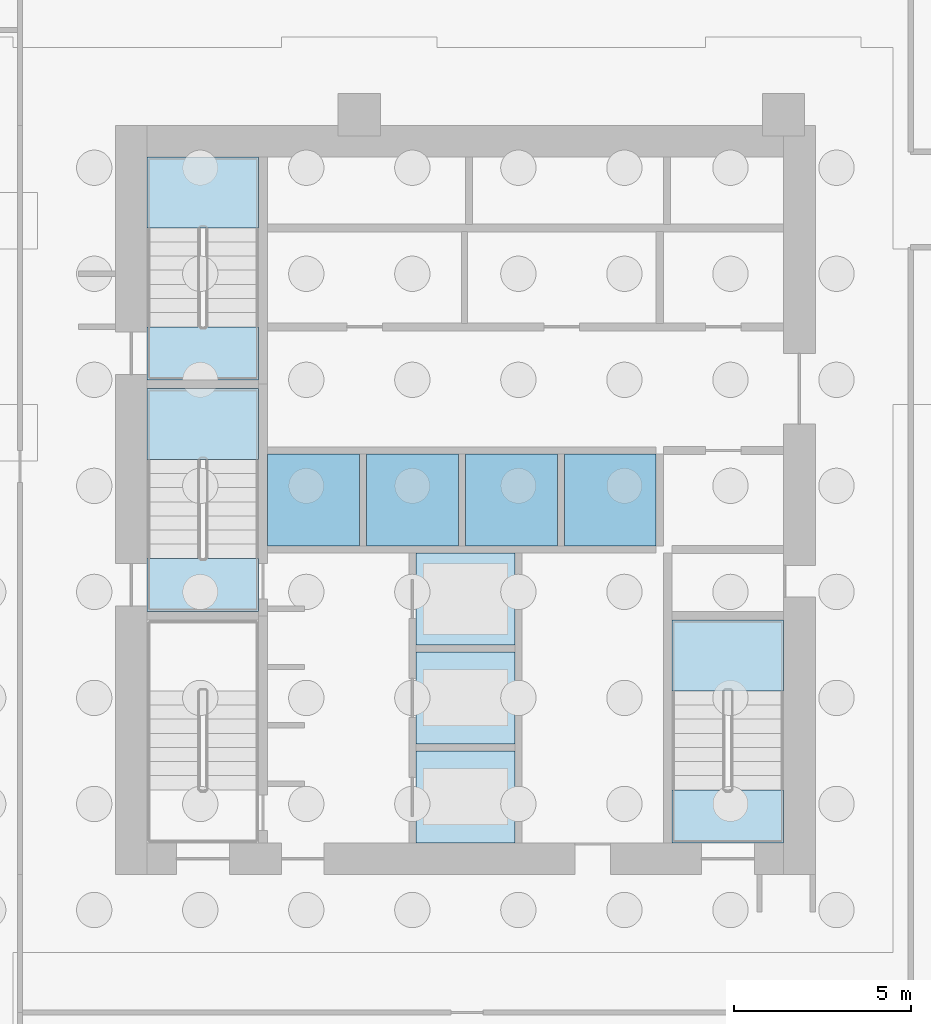
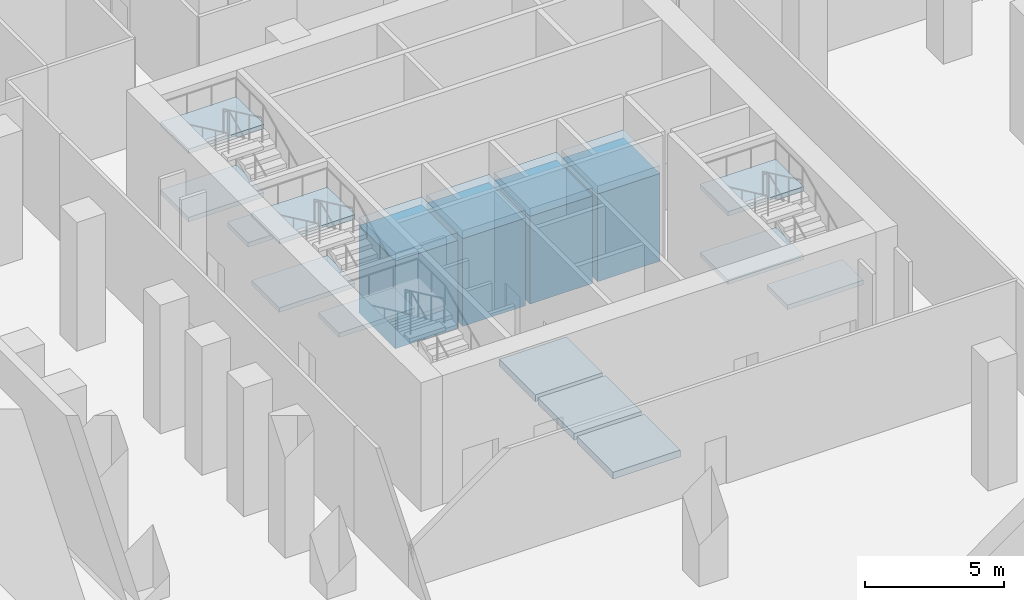
# One storey, part 3 of 16: 20 slabs, 3 elements without a shape of their own.
"""IFC4 building model written with IfcOpenShell, lengths in metres."""

from ifc_helpers import new_model, si_unit, direction, frame, origin, place, context, subcontext, project, spatial, polyline, outline, extrude, material, layer, layer_set, type_object, element, aggregate, save


model = new_model("IFC4")

# Units and contexts
model_context = context("Model", 3, precision=1e-05, world=origin(), true_north=direction((0.0, 1.0)))
body_context = subcontext(model_context, "Body", "Model", "MODEL_VIEW")
ifc_project = project(units=[si_unit("LENGTHUNIT", "METRE"), si_unit("AREAUNIT", "SQUARE_METRE"), si_unit("VOLUMEUNIT", "CUBIC_METRE"), si_unit("PLANEANGLEUNIT", "RADIAN"), si_unit("MASSUNIT", "GRAM", prefix="KILO")], contexts=[model_context])

# Site, building, storey
site_placement = place(None, origin())
site = spatial("IfcSite", under=ifc_project, at=site_placement, CompositionType="ELEMENT")
building_placement = place(site_placement, origin())
building = spatial("IfcBuilding", under=site, at=building_placement, Name="Welwitschia Terrace Campus", CompositionType="ELEMENT")
storey_placement = place(building_placement, frame((0.0, 0.0, -6.0)))
storey = spatial("IfcBuildingStorey", under=building, at=storey_placement, Name="B1", CompositionType="ELEMENT", Elevation=-6.0)

# Slabs
ifc_material_1 = material(Name="Concrete C40/50", Category="concrete")
ifc_layer_1 = layer(ifc_material_1, 3.85009765625)
ifc_layer_set_1 = layer_set([ifc_layer_1], Name="Concrete C40/50")
slab_type_1 = type_object("IfcSlabType", Name="Lift pit plinth 3850", PredefinedType="BASESLAB", material=ifc_layer_set_1)
slab_1_placement = place(storey_placement, origin())
element("IfcSlab", 1, at=slab_1_placement, inside=storey, type_object=slab_type_1, Name="Lift pit plinth LR1", PredefinedType="BASESLAB", context=body_context, shape_type="SweptSolid", body=[
    extrude(outline(polyline([(9.39990234375, 13.800048828125), (12.0, 13.800048828125), (12.0, 16.39990234375), (9.39990234375, 16.39990234375), (9.39990234375, 13.800048828125)])), origin(), (0.0, 0.0, 1.0), 3.85009765625),
])
slab_2_placement = place(storey_placement, origin())
element("IfcSlab", 2, at=slab_2_placement, inside=storey, type_object=slab_type_1, Name="Lift pit plinth LR2", PredefinedType="BASESLAB", context=body_context, shape_type="SweptSolid", body=[
    extrude(outline(polyline([(12.199951171875, 13.800048828125), (14.800048828125, 13.800048828125), (14.800048828125, 16.39990234375), (12.199951171875, 16.39990234375), (12.199951171875, 13.800048828125)])), origin(), (0.0, 0.0, 1.0), 3.85009765625),
])
slab_3_placement = place(storey_placement, origin())
element("IfcSlab", 3, at=slab_3_placement, inside=storey, type_object=slab_type_1, Name="Lift pit plinth LR3", PredefinedType="BASESLAB", context=body_context, shape_type="SweptSolid", body=[
    extrude(outline(polyline([(15.0, 13.800048828125), (17.60009765625, 13.800048828125), (17.60009765625, 16.39990234375), (15.0, 16.39990234375), (15.0, 13.800048828125)])), origin(), (0.0, 0.0, 1.0), 3.85009765625),
])
slab_4_placement = place(storey_placement, origin())
element("IfcSlab", 4, at=slab_4_placement, inside=storey, type_object=slab_type_1, Name="Lift pit plinth LR4", PredefinedType="BASESLAB", context=body_context, shape_type="SweptSolid", body=[
    extrude(outline(polyline([(17.800048828125, 13.800048828125), (20.39990234375, 13.800048828125), (20.39990234375, 16.39990234375), (17.800048828125, 16.39990234375), (17.800048828125, 13.800048828125)])), origin(), (0.0, 0.0, 1.0), 3.85009765625),
])
ifc_material_2 = material(Name="Concrete C40/50", Category="concrete")
ifc_layer_2 = layer(ifc_material_2, 0.300048828125)
ifc_layer_set_2 = layer_set([ifc_layer_2], Name="Concrete C40/50")
slab_type_2 = type_object("IfcSlabType", Name="Lift pit slab", PredefinedType="BASESLAB", material=ifc_layer_set_2)
slab_5_placement = place(storey_placement, frame((0.0, 0.0, -2.10009765625)))
element("IfcSlab", 5, at=slab_5_placement, inside=storey, type_object=slab_type_2, Name="Lift pit slab FF1", PredefinedType="BASESLAB", context=body_context, shape_type="SweptSolid", body=[
    extrude(outline(polyline([(13.60009765625, 5.39990234375), (16.39990234375, 5.39990234375), (16.39990234375, 8.0), (13.60009765625, 8.0), (13.60009765625, 5.39990234375)])), origin(), (0.0, 0.0, 1.0), 0.300048828125),
])
slab_6_placement = place(storey_placement, frame((0.0, 0.0, -2.10009765625)))
element("IfcSlab", 6, at=slab_6_placement, inside=storey, type_object=slab_type_2, Name="Lift pit slab FF2", PredefinedType="BASESLAB", context=body_context, shape_type="SweptSolid", body=[
    extrude(outline(polyline([(13.60009765625, 8.199951171875), (16.39990234375, 8.199951171875), (16.39990234375, 10.800048828125), (13.60009765625, 10.800048828125), (13.60009765625, 8.199951171875)])), origin(), (0.0, 0.0, 1.0), 0.300048828125),
])
slab_7_placement = place(storey_placement, frame((0.0, 0.0, -2.10009765625)))
element("IfcSlab", 7, at=slab_7_placement, inside=storey, type_object=slab_type_2, Name="Lift pit slab SV1", PredefinedType="BASESLAB", context=body_context, shape_type="SweptSolid", body=[
    extrude(outline(polyline([(13.60009765625, 11.0), (16.39990234375, 11.0), (16.39990234375, 13.60009765625), (13.60009765625, 13.60009765625), (13.60009765625, 11.0)])), origin(), (0.0, 0.0, 1.0), 0.300048828125),
])

# Stair, slabs
ifc_material_3 = material(Name="Concrete C40/50", Category="concrete")
stair_type = type_object("IfcStairType", Name="Stair 32R 188 W1500", PredefinedType="HALF_TURN_STAIR", material=ifc_material_3)
stair_1_placement = place(storey_placement, origin())
stair_1 = element("IfcStair", 8, at=stair_1_placement, inside=storey, type_object=stair_type, Name="B1 Exit stair S3", PredefinedType="HALF_TURN_STAIR")
ifc_material_4 = material(Name="Concrete C40/50", Category="concrete")
ifc_layer_3 = layer(ifc_material_4, 0.199951171875)
ifc_layer_set_3 = layer_set([ifc_layer_3], Name="Concrete C40/50")
slab_type_3 = type_object("IfcSlabType", Name="Stair landing RC", PredefinedType="LANDING", material=ifc_layer_set_3)
slab_8_placement = place(storey_placement, frame((0.0, 0.0, 1.300048828125)))
slab_8 = element("IfcSlab", 9, at=slab_8_placement, type_object=slab_type_3, Name="S3 landing 1", PredefinedType="LANDING", context=body_context, shape_type="SweptSolid", body=[
    extrude(outline(polyline([(9.14990234375, 16.25), (9.14990234375, 18.25), (6.0, 18.25), (6.0, 16.25), (9.14990234375, 16.25)])), origin(), (0.0, 0.0, 1.0), 0.199951171875),
])
slab_9_placement = place(storey_placement, frame((0.0, 0.0, 2.800048828125)))
slab_9 = element("IfcSlab", 10, at=slab_9_placement, type_object=slab_type_3, Name="S3 landing 2", PredefinedType="LANDING", context=body_context, shape_type="SweptSolid", body=[
    extrude(outline(polyline([(9.14990234375, 11.949951171875), (9.14990234375, 13.449951171875), (6.0, 13.449951171875), (6.0, 11.949951171875), (9.14990234375, 11.949951171875)])), origin(), (0.0, 0.0, 1.0), 0.199951171875),
])
slab_10_placement = place(storey_placement, frame((0.0, 0.0, 4.300048828125)))
slab_10 = element("IfcSlab", 11, at=slab_10_placement, type_object=slab_type_3, Name="S3 landing 3", PredefinedType="LANDING", context=body_context, shape_type="SweptSolid", body=[
    extrude(outline(polyline([(9.14990234375, 16.25), (9.14990234375, 18.25), (6.0, 18.25), (6.0, 16.25), (9.14990234375, 16.25)])), origin(), (0.0, 0.0, 1.0), 0.199951171875),
])
aggregate(stair_1, [slab_8, slab_9, slab_10])

stair_2_placement = place(storey_placement, origin())
stair_2 = element("IfcStair", 12, at=stair_2_placement, inside=storey, type_object=stair_type, Name="B1 Exit stair S4", PredefinedType="HALF_TURN_STAIR")
slab_11_placement = place(storey_placement, frame((0.0, 0.0, 1.300048828125)))
slab_11 = element("IfcSlab", 13, at=slab_11_placement, type_object=slab_type_3, Name="S4 landing 1", PredefinedType="LANDING", context=body_context, shape_type="SweptSolid", body=[
    extrude(outline(polyline([(9.14990234375, 22.800048828125), (9.14990234375, 24.800048828125), (6.0, 24.800048828125), (6.0, 22.800048828125), (9.14990234375, 22.800048828125)])), origin(), (0.0, 0.0, 1.0), 0.199951171875),
])
slab_12_placement = place(storey_placement, frame((0.0, 0.0, 2.800048828125)))
slab_12 = element("IfcSlab", 14, at=slab_12_placement, type_object=slab_type_3, Name="S4 landing 2", PredefinedType="LANDING", context=body_context, shape_type="SweptSolid", body=[
    extrude(outline(polyline([(9.14990234375, 18.5), (9.14990234375, 20.0), (6.0, 20.0), (6.0, 18.5), (9.14990234375, 18.5)])), origin(), (0.0, 0.0, 1.0), 0.199951171875),
])
slab_13_placement = place(storey_placement, frame((0.0, 0.0, 4.300048828125)))
slab_13 = element("IfcSlab", 15, at=slab_13_placement, type_object=slab_type_3, Name="S4 landing 3", PredefinedType="LANDING", context=body_context, shape_type="SweptSolid", body=[
    extrude(outline(polyline([(9.14990234375, 22.800048828125), (9.14990234375, 24.800048828125), (6.0, 24.800048828125), (6.0, 22.800048828125), (9.14990234375, 22.800048828125)])), origin(), (0.0, 0.0, 1.0), 0.199951171875),
])
aggregate(stair_2, [slab_11, slab_12, slab_13])

stair_3_placement = place(storey_placement, origin())
stair_3 = element("IfcStair", 16, at=stair_3_placement, inside=storey, type_object=stair_type, Name="B1 Exit stair S2", PredefinedType="HALF_TURN_STAIR")
slab_14_placement = place(storey_placement, frame((0.0, 0.0, 1.300048828125)))
slab_14 = element("IfcSlab", 17, at=slab_14_placement, type_object=slab_type_3, Name="S2 landing 1", PredefinedType="LANDING", context=body_context, shape_type="SweptSolid", body=[
    extrude(outline(polyline([(24.0, 9.699951171875), (24.0, 11.699951171875), (20.85009765625, 11.699951171875), (20.85009765625, 9.699951171875), (24.0, 9.699951171875)])), origin(), (0.0, 0.0, 1.0), 0.199951171875),
])
slab_15_placement = place(storey_placement, frame((0.0, 0.0, 2.800048828125)))
slab_15 = element("IfcSlab", 18, at=slab_15_placement, type_object=slab_type_3, Name="S2 landing 2", PredefinedType="LANDING", context=body_context, shape_type="SweptSolid", body=[
    extrude(outline(polyline([(24.0, 5.39990234375), (24.0, 6.89990234375), (20.85009765625, 6.89990234375), (20.85009765625, 5.39990234375), (24.0, 5.39990234375)])), origin(), (0.0, 0.0, 1.0), 0.199951171875),
])
slab_16_placement = place(storey_placement, frame((0.0, 0.0, 4.300048828125)))
slab_16 = element("IfcSlab", 19, at=slab_16_placement, type_object=slab_type_3, Name="S2 landing 3", PredefinedType="LANDING", context=body_context, shape_type="SweptSolid", body=[
    extrude(outline(polyline([(24.0, 9.699951171875), (24.0, 11.699951171875), (20.85009765625, 11.699951171875), (20.85009765625, 9.699951171875), (24.0, 9.699951171875)])), origin(), (0.0, 0.0, 1.0), 0.199951171875),
])
aggregate(stair_3, [slab_14, slab_15, slab_16])

# Slabs
ifc_material_5 = material(Name="Concrete C40/50", Category="concrete")
ifc_layer_4 = layer(ifc_material_5, 0.35009765625)
ifc_layer_set_4 = layer_set([ifc_layer_4], Name="Concrete C40/50")
slab_type_4 = type_object("IfcSlabType", Name="Upper lift pit slab", PredefinedType="BASESLAB", material=ifc_layer_set_4)
slab_17_placement = place(storey_placement, frame((0.0, 0.0, 3.85009765625)))
element("IfcSlab", 20, at=slab_17_placement, inside=storey, type_object=slab_type_4, Name="Lift pit slab LR1", PredefinedType="BASESLAB", context=body_context, shape_type="SweptSolid", body=[
    extrude(outline(polyline([(9.39990234375, 13.800048828125), (12.0, 13.800048828125), (12.0, 16.39990234375), (9.39990234375, 16.39990234375), (9.39990234375, 13.800048828125)])), origin(), (0.0, 0.0, 1.0), 0.349853515625),
])
slab_18_placement = place(storey_placement, frame((0.0, 0.0, 3.85009765625)))
element("IfcSlab", 21, at=slab_18_placement, inside=storey, type_object=slab_type_4, Name="Lift pit slab LR2", PredefinedType="BASESLAB", context=body_context, shape_type="SweptSolid", body=[
    extrude(outline(polyline([(12.199951171875, 13.800048828125), (14.800048828125, 13.800048828125), (14.800048828125, 16.39990234375), (12.199951171875, 16.39990234375), (12.199951171875, 13.800048828125)])), origin(), (0.0, 0.0, 1.0), 0.349853515625),
])
slab_19_placement = place(storey_placement, frame((0.0, 0.0, 3.85009765625)))
element("IfcSlab", 22, at=slab_19_placement, inside=storey, type_object=slab_type_4, Name="Lift pit slab LR3", PredefinedType="BASESLAB", context=body_context, shape_type="SweptSolid", body=[
    extrude(outline(polyline([(15.0, 13.800048828125), (17.60009765625, 13.800048828125), (17.60009765625, 16.39990234375), (15.0, 16.39990234375), (15.0, 13.800048828125)])), origin(), (0.0, 0.0, 1.0), 0.349853515625),
])
slab_20_placement = place(storey_placement, frame((0.0, 0.0, 3.85009765625)))
element("IfcSlab", 23, at=slab_20_placement, inside=storey, type_object=slab_type_4, Name="Lift pit slab LR4", PredefinedType="BASESLAB", context=body_context, shape_type="SweptSolid", body=[
    extrude(outline(polyline([(17.800048828125, 13.800048828125), (20.39990234375, 13.800048828125), (20.39990234375, 16.39990234375), (17.800048828125, 16.39990234375), (17.800048828125, 13.800048828125)])), origin(), (0.0, 0.0, 1.0), 0.349853515625),
])

save(model, "model.ifc")
